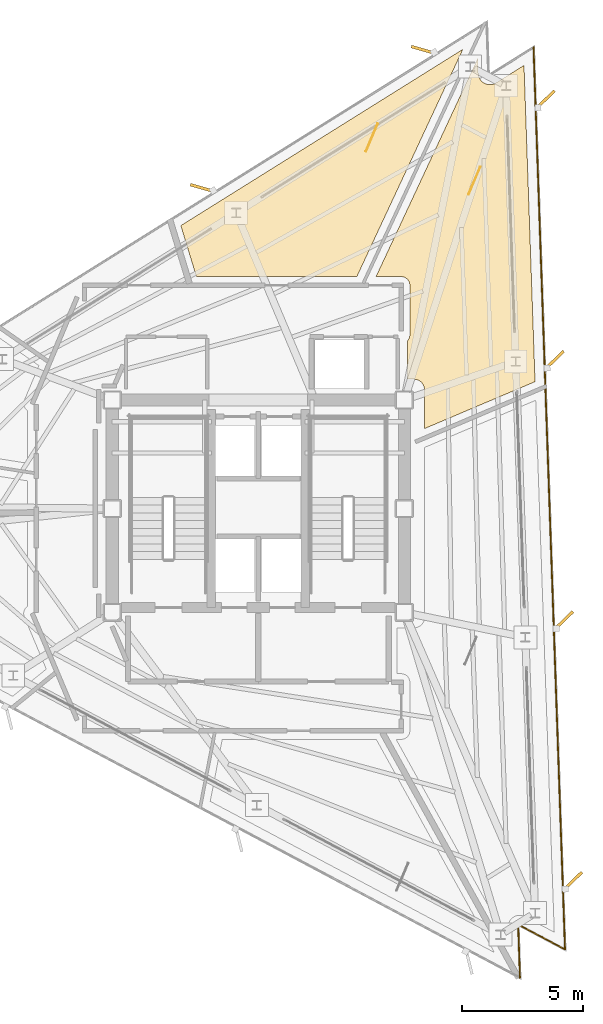
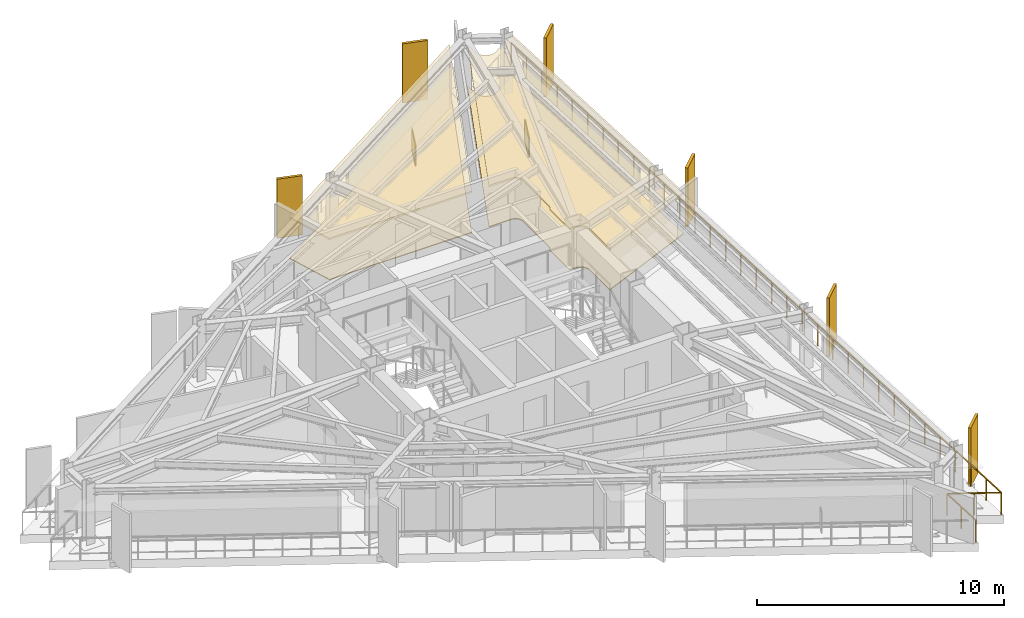
# One storey, part 13 of 13: 6 coverings, 6 shading devices, 1 railing.
"""IFC4 building model written with IfcOpenShell, lengths in metres."""

from ifc_helpers import new_model, si_unit, direction, frame, origin, origin_2d, place, context, subcontext, project, spatial, polyline, rectangle, outline, extrude, material, layer, layer_set, type_object, element, save


model = new_model("IFC4")

# Units and contexts
model_context = context("Model", 3, precision=1e-05, world=origin(), true_north=direction((0.0, 1.0)))
body_context = subcontext(model_context, "Body", "Model", "MODEL_VIEW")
ifc_project = project(units=[si_unit("LENGTHUNIT", "METRE"), si_unit("AREAUNIT", "SQUARE_METRE"), si_unit("VOLUMEUNIT", "CUBIC_METRE"), si_unit("PLANEANGLEUNIT", "RADIAN"), si_unit("MASSUNIT", "GRAM", prefix="KILO")], contexts=[model_context])

# Site, building, storey
site_placement = place(None, origin())
site = spatial("IfcSite", under=ifc_project, at=site_placement, CompositionType="ELEMENT")
building_placement = place(site_placement, origin())
building = spatial("IfcBuilding", under=site, at=building_placement, Name="Rocaltana Carrier Exchange", CompositionType="ELEMENT")
storey_placement = place(building_placement, frame((0.0, 0.0, 193.60009765625)))
storey = spatial("IfcBuildingStorey", under=building, at=storey_placement, Name="L61", CompositionType="ELEMENT", Elevation=193.60009765625)

# Coverings
ifc_material_1 = material(Name="Honed Bogota Sandstone Tile", Category="masonry")
ifc_layer_1 = layer(ifc_material_1, 0.0400390625)
ifc_layer_set_1 = layer_set([ifc_layer_1], Name="Honed Bogota Sandstone Tile")
covering_type_1 = type_object("IfcCoveringType", Name="Honed Stone Lobby Flooring 40", PredefinedType="FLOORING", material=ifc_layer_set_1)
covering_1_placement = place(storey_placement, origin())
element("IfcCovering", 1, at=covering_1_placement, inside=storey, type_object=covering_type_1, Name="L61 Executive Peering Boardroom Finish Floor", PredefinedType="FLOORING", context=body_context, shape_type="SweptSolid", body=[
    extrude(outline(polyline([(6.18994140625, 6.962158203125), (6.206787109375, 6.982421875), (6.21142578125, 6.98876953125), (6.226806640625, 7.01171875), (6.230712890625, 7.018310546875), (6.24365234375, 7.04248046875), (6.2470703125, 7.0498046875), (6.257568359375, 7.0751953125), (6.26025390625, 7.08251953125), (6.268310546875, 7.108642578125), (6.27001953125, 7.116455078125), (6.275390625, 7.143310546875), (6.276611328125, 7.151123046875), (6.279296875, 7.178466796875), (6.27978515625, 7.186279296875), (6.280029296875, 7.199951171875), (6.280029296875, 9.25), (6.27978515625, 9.263671875), (6.279296875, 9.271484375), (6.276611328125, 9.298828125), (6.275390625, 9.306640625), (6.27001953125, 9.33349609375), (6.268310546875, 9.34130859375), (6.26025390625, 9.36767578125), (6.257568359375, 9.375), (6.2470703125, 9.400390625), (6.24365234375, 9.407470703125), (6.230712890625, 9.431640625), (6.226806640625, 9.4384765625), (6.21142578125, 9.461181640625), (6.206787109375, 9.467529296875), (6.189208984375, 9.48876953125), (6.18408203125, 9.49462890625), (6.16455078125, 9.513916015625), (6.15869140625, 9.519287109375), (6.137451171875, 9.53662109375), (6.131103515625, 9.54150390625), (6.1083984375, 9.556640625), (6.101806640625, 9.560791015625), (6.077392578125, 9.57373046875), (6.0703125, 9.576904296875), (6.044921875, 9.58740234375), (6.03759765625, 9.590087890625), (6.01123046875, 9.59814453125), (6.003662109375, 9.60009765625), (5.976806640625, 9.60546875), (5.968994140625, 9.606689453125), (5.941650390625, 9.609375), (5.93359375, 9.609619140625), (5.919921875, 9.610107421875), (4.87841796875, 9.610107421875), (9.09375, 18.64990234375), (9.115478515625, 18.029052734375), (9.1162109375, 18.01513671875), (9.117919921875, 17.995361328125), (9.121826171875, 17.9677734375), (9.12548828125, 17.947998046875), (9.1318359375, 17.9208984375), (9.137451171875, 17.90185546875), (9.146484375, 17.87548828125), (9.154052734375, 17.85693359375), (9.166015625, 17.83154296875), (9.175048828125, 17.81396484375), (9.189208984375, 17.789794921875), (9.2001953125, 17.773193359375), (9.216796875, 17.750732421875), (9.2294921875, 17.7353515625), (9.248046875, 17.714599609375), (9.26220703125, 17.700439453125), (9.28271484375, 17.681640625), (9.298095703125, 17.6689453125), (9.320556640625, 17.65234375), (9.337158203125, 17.641357421875), (9.361083984375, 17.626953125), (9.37890625, 17.61767578125), (9.404052734375, 17.605712890625), (9.422607421875, 17.59814453125), (9.44873046875, 17.5888671875), (9.468017578125, 17.583251953125), (9.4951171875, 17.57666015625), (9.5146484375, 17.572998046875), (9.542236328125, 17.569091796875), (9.56201171875, 17.567138671875), (9.590087890625, 17.566162109375), (9.610107421875, 17.56640625), (9.6376953125, 17.56787109375), (9.65771484375, 17.570068359375), (9.685302734375, 17.57470703125), (9.70458984375, 17.57861328125), (9.731689453125, 17.5859375), (9.750732421875, 17.591796875), (9.77685546875, 17.601806640625), (9.795166015625, 17.609619140625), (9.820068359375, 17.6220703125), (9.83740234375, 17.631591796875), (9.849609375, 17.638916015625), (11.01025390625, 18.364013671875), (11.4677734375, 5.2587890625), (6.889892578125, 3.315673828125), (6.889892578125, 4.919921875), (6.8896484375, 4.93359375), (6.888916015625, 4.949462890625), (6.88623046875, 4.976806640625), (6.8837890625, 4.9921875), (6.87841796875, 5.019287109375), (6.874755859375, 5.034423828125), (6.86669921875, 5.060791015625), (6.861572265625, 5.07568359375), (6.850830078125, 5.100830078125), (6.84423828125, 5.114990234375), (6.831298828125, 5.139404296875), (6.8232421875, 5.15283203125), (6.807861328125, 5.17578125), (6.798583984375, 5.188232421875), (6.781005859375, 5.20947265625), (6.7705078125, 5.22119140625), (6.751220703125, 5.240478515625), (6.739501953125, 5.251220703125), (6.71826171875, 5.2685546875), (6.705810546875, 5.27783203125), (6.682861328125, 5.293212890625), (6.66943359375, 5.30126953125), (6.64501953125, 5.314208984375), (6.630859375, 5.32080078125), (6.605712890625, 5.33154296875), (6.5908203125, 5.336669921875), (6.564453125, 5.3447265625), (6.54931640625, 5.348388671875), (6.522216796875, 5.35400390625), (6.5068359375, 5.356201171875), (6.4794921875, 5.35888671875), (6.463623046875, 5.359619140625), (6.449951171875, 5.360107421875), (6.18994140625, 5.360107421875), (6.18994140625, 6.962158203125)])), origin(), (0.0, 0.0, 1.0), 0.039794921875),
])
covering_2_placement = place(storey_placement, origin())
element("IfcCovering", 2, at=covering_2_placement, inside=storey, type_object=covering_type_1, Name="L61 Peering Conference Room Finish Floor", PredefinedType="FLOORING", context=body_context, shape_type="SweptSolid", body=[
    extrude(outline(polyline([(8.47509765625, 19.026611328125), (4.083984375, 9.610107421875), (-2.5615234375, 9.610107421875), (-3.20849609375, 11.725830078125), (8.47509765625, 19.026611328125)])), origin(), (0.0, 0.0, 1.0), 0.039794921875),
])
ifc_material_2 = material(Name="Anodised Aluminium 6063-T6", Category="aluminium")
ifc_layer_2 = layer(ifc_material_2, 0.0849609375)
ifc_layer_set_2 = layer_set([ifc_layer_2], Name="Anodised Aluminium 6063-T6")
covering_type_2 = type_object("IfcCoveringType", Name="Linear Baffle Acoustic Ceiling 85", PredefinedType="CEILING", material=ifc_layer_set_2)
covering_3_placement = place(storey_placement, frame((0.0, 0.0, 1.98291015625)))
element("IfcCovering", 3, at=covering_3_placement, inside=storey, type_object=covering_type_2, Name="L61 Executive Peering Boardroom Acoustic Ceiling", PredefinedType="CEILING", context=body_context, shape_type="SweptSolid", body=[
    extrude(outline(polyline([(6.18994140625, 6.962158203125), (6.206787109375, 6.982421875), (6.21142578125, 6.98876953125), (6.226806640625, 7.01171875), (6.230712890625, 7.018310546875), (6.24365234375, 7.04248046875), (6.2470703125, 7.0498046875), (6.257568359375, 7.0751953125), (6.26025390625, 7.08251953125), (6.268310546875, 7.108642578125), (6.27001953125, 7.116455078125), (6.275390625, 7.143310546875), (6.276611328125, 7.151123046875), (6.279296875, 7.178466796875), (6.27978515625, 7.186279296875), (6.280029296875, 7.199951171875), (6.280029296875, 9.25), (6.27978515625, 9.263671875), (6.279296875, 9.271484375), (6.276611328125, 9.298828125), (6.275390625, 9.306640625), (6.27001953125, 9.33349609375), (6.268310546875, 9.34130859375), (6.26025390625, 9.36767578125), (6.257568359375, 9.375), (6.2470703125, 9.400390625), (6.24365234375, 9.407470703125), (6.230712890625, 9.431640625), (6.226806640625, 9.4384765625), (6.21142578125, 9.461181640625), (6.206787109375, 9.467529296875), (6.189208984375, 9.48876953125), (6.18408203125, 9.49462890625), (6.16455078125, 9.513916015625), (6.15869140625, 9.519287109375), (6.137451171875, 9.53662109375), (6.131103515625, 9.54150390625), (6.1083984375, 9.556640625), (6.101806640625, 9.560791015625), (6.077392578125, 9.57373046875), (6.0703125, 9.576904296875), (6.044921875, 9.58740234375), (6.03759765625, 9.590087890625), (6.01123046875, 9.59814453125), (6.003662109375, 9.60009765625), (5.976806640625, 9.60546875), (5.968994140625, 9.606689453125), (5.941650390625, 9.609375), (5.93359375, 9.609619140625), (5.919921875, 9.610107421875), (4.87841796875, 9.610107421875), (9.09375, 18.64990234375), (9.115478515625, 18.029052734375), (9.1162109375, 18.01513671875), (9.117919921875, 17.995361328125), (9.121826171875, 17.9677734375), (9.12548828125, 17.947998046875), (9.1318359375, 17.9208984375), (9.137451171875, 17.90185546875), (9.146484375, 17.87548828125), (9.154052734375, 17.85693359375), (9.166015625, 17.83154296875), (9.175048828125, 17.81396484375), (9.189208984375, 17.789794921875), (9.2001953125, 17.773193359375), (9.216796875, 17.750732421875), (9.2294921875, 17.7353515625), (9.248046875, 17.714599609375), (9.26220703125, 17.700439453125), (9.28271484375, 17.681640625), (9.298095703125, 17.6689453125), (9.320556640625, 17.65234375), (9.337158203125, 17.641357421875), (9.361083984375, 17.626953125), (9.37890625, 17.61767578125), (9.404052734375, 17.605712890625), (9.422607421875, 17.59814453125), (9.44873046875, 17.5888671875), (9.468017578125, 17.583251953125), (9.4951171875, 17.57666015625), (9.5146484375, 17.572998046875), (9.542236328125, 17.569091796875), (9.56201171875, 17.567138671875), (9.590087890625, 17.566162109375), (9.610107421875, 17.56640625), (9.6376953125, 17.56787109375), (9.65771484375, 17.570068359375), (9.685302734375, 17.57470703125), (9.70458984375, 17.57861328125), (9.731689453125, 17.5859375), (9.750732421875, 17.591796875), (9.77685546875, 17.601806640625), (9.795166015625, 17.609619140625), (9.820068359375, 17.6220703125), (9.83740234375, 17.631591796875), (9.849609375, 17.638916015625), (11.01025390625, 18.364013671875), (11.4677734375, 5.2587890625), (6.889892578125, 3.315673828125), (6.889892578125, 4.919921875), (6.8896484375, 4.93359375), (6.888916015625, 4.949462890625), (6.88623046875, 4.976806640625), (6.8837890625, 4.9921875), (6.87841796875, 5.019287109375), (6.874755859375, 5.034423828125), (6.86669921875, 5.060791015625), (6.861572265625, 5.07568359375), (6.850830078125, 5.100830078125), (6.84423828125, 5.114990234375), (6.831298828125, 5.139404296875), (6.8232421875, 5.15283203125), (6.807861328125, 5.17578125), (6.798583984375, 5.188232421875), (6.781005859375, 5.20947265625), (6.7705078125, 5.22119140625), (6.751220703125, 5.240478515625), (6.739501953125, 5.251220703125), (6.71826171875, 5.2685546875), (6.705810546875, 5.27783203125), (6.682861328125, 5.293212890625), (6.66943359375, 5.30126953125), (6.64501953125, 5.314208984375), (6.630859375, 5.32080078125), (6.605712890625, 5.33154296875), (6.5908203125, 5.336669921875), (6.564453125, 5.3447265625), (6.54931640625, 5.348388671875), (6.522216796875, 5.35400390625), (6.5068359375, 5.356201171875), (6.4794921875, 5.35888671875), (6.463623046875, 5.359619140625), (6.449951171875, 5.360107421875), (6.18994140625, 5.360107421875), (6.18994140625, 6.962158203125)])), origin(), (0.0, 0.0, 1.0), 0.0849609375),
])
covering_4_placement = place(storey_placement, frame((0.0, 0.0, 1.98291015625)))
element("IfcCovering", 4, at=covering_4_placement, inside=storey, type_object=covering_type_2, Name="L61 Peering Conference Room Acoustic Ceiling", PredefinedType="CEILING", context=body_context, shape_type="SweptSolid", body=[
    extrude(outline(polyline([(8.47509765625, 19.026611328125), (4.083984375, 9.610107421875), (-2.5615234375, 9.610107421875), (-3.20849609375, 11.725830078125), (8.47509765625, 19.026611328125)])), origin(), (0.0, 0.0, 1.0), 0.0849609375),
])
ifc_material_3 = material(Name="Honed Piedra Muneca Sandstone", Category="masonry")
ifc_layer_3 = layer(ifc_material_3, 0.034912109375)
ifc_layer_set_3 = layer_set([ifc_layer_3], Name="Honed Piedra Muneca Sandstone")
covering_type_3 = type_object("IfcCoveringType", Name="Stone Facade Cladding 35", PredefinedType="CLADDING", material=ifc_layer_set_3)
for number, where, z_axis, x_axis, name in (
    (5, (8.955078125, 13.587890625, 0.0), (0.0, 0.0, 1.0), (0.390731128489, 0.920504853452, 0.0), "L61 Stone Facade Cladding Panel 5"),
    (6, (4.702880859375, 15.376220703125, 0.0), (0.0, 0.0, 1.0), (0.390731128489, 0.920504853452, 0.0), "L61 Stone Facade Cladding Panel 6"),
):
    element("IfcCovering", number, at=place(storey_placement, frame(where, z_axis=z_axis, x_axis=x_axis)), inside=storey, type_object=covering_type_3, Name=name, PredefinedType="CLADDING", context=body_context, shape_type="SweptSolid", body=[
        extrude(rectangle(XDim=1.25, YDim=0.034912109375, at=origin_2d()), origin(), (0.0, 0.0, 1.0), 1.050048828125),
    ])

# Shading devices
ifc_material_4 = material(Name="Honed Bogota Sandstone & Concrete C45/55", Category="masonry")
ifc_layer_4 = layer(ifc_material_4, 0.1201171875)
ifc_layer_set_4 = layer_set([ifc_layer_4], Name="Honed Bogota Sandstone & Concrete C45/55")
shading_device_type = type_object("IfcShadingDeviceType", Name="Upper Sandstone Shading Fin 1050x120", PredefinedType="USERDEFINED", material=ifc_layer_set_4)
for number, where, z_axis, x_axis, name in (
    (7, (13.03125, -15.43017578125, -0.1201171875), (0.0, 0.0, 1.0), (0.719339800339, 0.694658370459, 0.0), "L61 Sandstone Vertical Fin F1-01"),
    (8, (12.654296875, -4.63671875, -0.1201171875), (0.0, 0.0, 1.0), (0.719339800339, 0.694658370459, 0.0), "L61 Sandstone Vertical Fin F1-02"),
    (9, (12.27734375, 6.15673828125, -0.1201171875), (0.0, 0.0, 1.0), (0.719339800339, 0.694658370459, 0.0), "L61 Sandstone Vertical Fin F1-03"),
    (10, (11.900390625, 16.9501953125, -0.1201171875), (0.0, 0.0, 1.0), (0.719339800339, 0.694658370459, 0.0), "L61 Sandstone Vertical Fin F1-04"),
    (11, (6.84716796875, 19.00048828125, -0.1201171875), (0.0, 0.0, 1.0), (-0.961261695938, 0.275637355817, 0.0), "L61 Sandstone Vertical Fin F2-01"),
    (12, (-2.311767578125, 13.27734375, -0.1201171875), (0.0, 0.0, 1.0), (-0.961261695938, 0.275637355817, 0.0), "L61 Sandstone Vertical Fin F2-02"),
):
    element("IfcShadingDevice", number, at=place(storey_placement, frame(where, z_axis=z_axis, x_axis=x_axis)), inside=storey, type_object=shading_device_type, Name=name, ObjectType="FIN", PredefinedType="USERDEFINED", context=body_context, shape_type="SweptSolid", body=[
        extrude(rectangle(XDim=1.050048828125, YDim=0.1201171875, at=origin_2d()), origin(), (0.0, 0.0, 1.0), 2.91796875),
    ])

# Railing
ifc_material_5 = material(Name="Powder-Coated Aluminium 6063-T6", Category="aluminium")
ifc_layer_5 = layer(ifc_material_5, 0.06005859375)
ifc_layer_set_5 = layer_set([ifc_layer_5], Name="Powder-Coated Aluminium 6063-T6")
railing_type = type_object("IfcRailingType", Name="Wind-Floor & Terrace Perimeter Guardrail 1100", PredefinedType="GUARDRAIL", material=ifc_layer_set_5)
railing_placement = place(storey_placement, frame((11.404541015625, 19.105712890625, 0.0)))
element("IfcRailing", 13, at=railing_placement, inside=storey, type_object=railing_type, Name="L61 Perimeter Balcony Guardrail 3", PredefinedType="GUARDRAIL", context=body_context, shape_type="SweptSolid", body=[
    extrude(rectangle(XDim=0.048095703125, YDim=0.048095703125, at=origin_2d()), frame((0.0, 0.0, 1.076171875), z_axis=(0.034898534283, -0.999390860627, 0.0), x_axis=(0.999390860627, 0.034898534283, 0.0)), (0.0, 0.0, 1.0), 37.39208984375),
    extrude(rectangle(XDim=0.048095703125, YDim=0.048095703125, at=origin_2d()), frame((1.304931640625, -37.369384765625, 1.076171875), z_axis=(-0.882914480843, 0.469533832133, 0.0), x_axis=(-0.469533832133, -0.882914480843, 0.0)), (0.0, 0.0, 1.0), 2.199951171875),
    extrude(rectangle(XDim=0.048095703125, YDim=0.048095703125, at=origin_2d()), frame((-0.637451171875, -36.33642578125, 1.076171875), z_axis=(0.034844472857, -0.999392746978, 0.0), x_axis=(0.999392746978, 0.034844472857, 0.0)), (0.0, 0.0, 1.0), 2.199951171875),
    extrude(rectangle(XDim=0.0419921875, YDim=0.0419921875, at=origin_2d()), origin(), (0.0, 0.0, 1.0), 1.052001953125),
    extrude(rectangle(XDim=0.0419921875, YDim=0.0419921875, at=origin_2d()), frame((0.040771484375, -1.167724609375, 0.0)), (0.0, 0.0, 1.0), 1.052001953125),
    extrude(rectangle(XDim=0.0419921875, YDim=0.0419921875, at=origin_2d()), frame((0.08154296875, -2.335693359375, 0.0)), (0.0, 0.0, 1.0), 1.052001953125),
    extrude(rectangle(XDim=0.0419921875, YDim=0.0419921875, at=origin_2d()), frame((0.122314453125, -3.50341796875, 0.0)), (0.0, 0.0, 1.0), 1.052001953125),
    extrude(rectangle(XDim=0.0419921875, YDim=0.0419921875, at=origin_2d()), frame((0.1630859375, -4.671142578125, 0.0)), (0.0, 0.0, 1.0), 1.052001953125),
    extrude(rectangle(XDim=0.0419921875, YDim=0.0419921875, at=origin_2d()), frame((0.203857421875, -5.8388671875, 0.0)), (0.0, 0.0, 1.0), 1.052001953125),
    extrude(rectangle(XDim=0.0419921875, YDim=0.0419921875, at=origin_2d()), frame((0.24462890625, -7.0068359375, 0.0)), (0.0, 0.0, 1.0), 1.052001953125),
    extrude(rectangle(XDim=0.0419921875, YDim=0.0419921875, at=origin_2d()), frame((0.285400390625, -8.174560546875, 0.0)), (0.0, 0.0, 1.0), 1.052001953125),
    extrude(rectangle(XDim=0.0419921875, YDim=0.0419921875, at=origin_2d()), frame((0.326171875, -9.34228515625, 0.0)), (0.0, 0.0, 1.0), 1.052001953125),
    extrude(rectangle(XDim=0.0419921875, YDim=0.0419921875, at=origin_2d()), frame((0.366943359375, -10.51025390625, 0.0)), (0.0, 0.0, 1.0), 1.052001953125),
    extrude(rectangle(XDim=0.0419921875, YDim=0.0419921875, at=origin_2d()), frame((0.40771484375, -11.677978515625, 0.0)), (0.0, 0.0, 1.0), 1.052001953125),
    extrude(rectangle(XDim=0.0419921875, YDim=0.0419921875, at=origin_2d()), frame((0.448486328125, -12.845703125, 0.0)), (0.0, 0.0, 1.0), 1.052001953125),
    extrude(rectangle(XDim=0.0419921875, YDim=0.0419921875, at=origin_2d()), frame((0.4892578125, -14.013427734375, 0.0)), (0.0, 0.0, 1.0), 1.052001953125),
    extrude(rectangle(XDim=0.0419921875, YDim=0.0419921875, at=origin_2d()), frame((0.530029296875, -15.181396484375, 0.0)), (0.0, 0.0, 1.0), 1.052001953125),
    extrude(rectangle(XDim=0.0419921875, YDim=0.0419921875, at=origin_2d()), frame((0.57080078125, -16.34912109375, 0.0)), (0.0, 0.0, 1.0), 1.052001953125),
    extrude(rectangle(XDim=0.0419921875, YDim=0.0419921875, at=origin_2d()), frame((0.611572265625, -17.516845703125, 0.0)), (0.0, 0.0, 1.0), 1.052001953125),
    extrude(rectangle(XDim=0.0419921875, YDim=0.0419921875, at=origin_2d()), frame((0.65234375, -18.6845703125, 0.0)), (0.0, 0.0, 1.0), 1.052001953125),
    extrude(rectangle(XDim=0.0419921875, YDim=0.0419921875, at=origin_2d()), frame((0.693359375, -19.8525390625, 0.0)), (0.0, 0.0, 1.0), 1.052001953125),
    extrude(rectangle(XDim=0.0419921875, YDim=0.0419921875, at=origin_2d()), frame((0.734130859375, -21.020263671875, 0.0)), (0.0, 0.0, 1.0), 1.052001953125),
    extrude(rectangle(XDim=0.0419921875, YDim=0.0419921875, at=origin_2d()), frame((0.77490234375, -22.18798828125, 0.0)), (0.0, 0.0, 1.0), 1.052001953125),
    extrude(rectangle(XDim=0.0419921875, YDim=0.0419921875, at=origin_2d()), frame((0.815673828125, -23.35595703125, 0.0)), (0.0, 0.0, 1.0), 1.052001953125),
    extrude(rectangle(XDim=0.0419921875, YDim=0.0419921875, at=origin_2d()), frame((0.8564453125, -24.523681640625, 0.0)), (0.0, 0.0, 1.0), 1.052001953125),
    extrude(rectangle(XDim=0.0419921875, YDim=0.0419921875, at=origin_2d()), frame((0.897216796875, -25.69140625, 0.0)), (0.0, 0.0, 1.0), 1.052001953125),
    extrude(rectangle(XDim=0.0419921875, YDim=0.0419921875, at=origin_2d()), frame((0.93798828125, -26.859130859375, 0.0)), (0.0, 0.0, 1.0), 1.052001953125),
    extrude(rectangle(XDim=0.0419921875, YDim=0.0419921875, at=origin_2d()), frame((0.978759765625, -28.027099609375, 0.0)), (0.0, 0.0, 1.0), 1.052001953125),
    extrude(rectangle(XDim=0.0419921875, YDim=0.0419921875, at=origin_2d()), frame((1.01953125, -29.19482421875, 0.0)), (0.0, 0.0, 1.0), 1.052001953125),
    extrude(rectangle(XDim=0.0419921875, YDim=0.0419921875, at=origin_2d()), frame((1.060302734375, -30.362548828125, 0.0)), (0.0, 0.0, 1.0), 1.052001953125),
    extrude(rectangle(XDim=0.0419921875, YDim=0.0419921875, at=origin_2d()), frame((1.10107421875, -31.530517578125, 0.0)), (0.0, 0.0, 1.0), 1.052001953125),
    extrude(rectangle(XDim=0.0419921875, YDim=0.0419921875, at=origin_2d()), frame((1.141845703125, -32.6982421875, 0.0)), (0.0, 0.0, 1.0), 1.052001953125),
    extrude(rectangle(XDim=0.0419921875, YDim=0.0419921875, at=origin_2d()), frame((1.1826171875, -33.865966796875, 0.0)), (0.0, 0.0, 1.0), 1.052001953125),
    extrude(rectangle(XDim=0.0419921875, YDim=0.0419921875, at=origin_2d()), frame((1.223388671875, -35.03369140625, 0.0)), (0.0, 0.0, 1.0), 1.052001953125),
    extrude(rectangle(XDim=0.0419921875, YDim=0.0419921875, at=origin_2d()), frame((1.26416015625, -36.20166015625, 0.0)), (0.0, 0.0, 1.0), 1.052001953125),
    extrude(rectangle(XDim=0.0419921875, YDim=0.0419921875, at=origin_2d()), frame((1.304931640625, -37.369384765625, 0.0)), (0.0, 0.0, 1.0), 1.052001953125),
    extrude(rectangle(XDim=0.0419921875, YDim=0.0419921875, at=origin_2d()), frame((0.333740234375, -36.85302734375, 0.0)), (0.0, 0.0, 1.0), 1.052001953125),
    extrude(rectangle(XDim=0.0419921875, YDim=0.0419921875, at=origin_2d()), frame((-0.637451171875, -36.33642578125, 0.0)), (0.0, 0.0, 1.0), 1.052001953125),
    extrude(rectangle(XDim=0.0419921875, YDim=0.0419921875, at=origin_2d()), frame((-0.59912109375, -37.435791015625, 0.0)), (0.0, 0.0, 1.0), 1.052001953125),
    extrude(rectangle(XDim=0.0419921875, YDim=0.0419921875, at=origin_2d()), frame((-0.560791015625, -38.53515625, 0.0)), (0.0, 0.0, 1.0), 1.052001953125),
])

save(model, "model.ifc")
